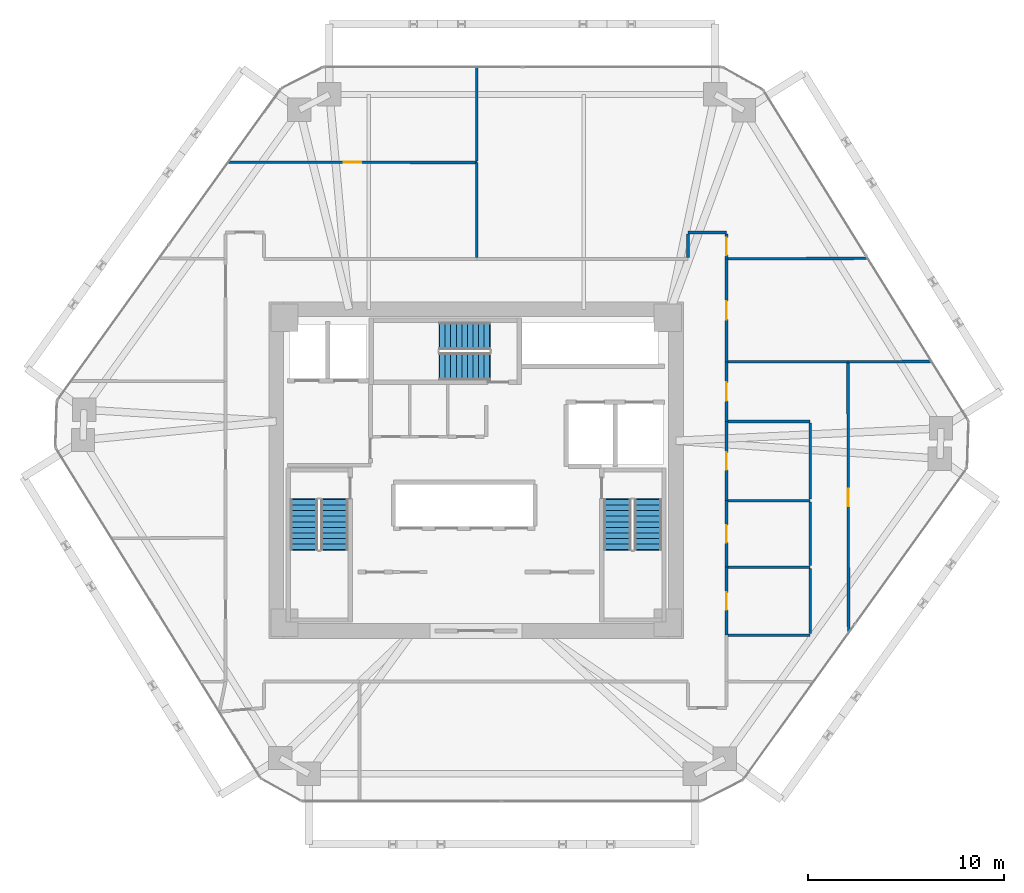
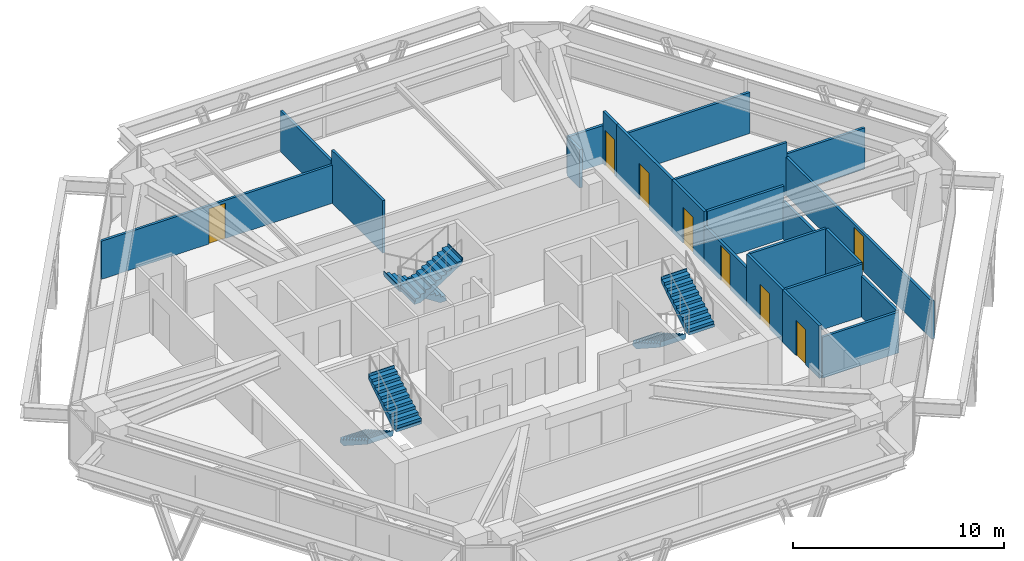
# One storey, part 12 of 13: 22 walls, 8 doors, 6 stair flights, 8 openings, 3 elements without a shape of their own.
"""IFC4 building model written with IfcOpenShell, lengths in metres."""

from ifc_helpers import new_model, si_unit, direction, frame, frame_2d, origin, place, context, subcontext, project, spatial, polyline, rectangle, outline, extrude, source, transform, mapped, material, layer, layer_set, type_object, type_shapes, element, fill, aggregate, save


model = new_model("IFC4")

# Units and contexts
model_context = context("Model", 3, precision=1e-05, world=origin(), true_north=direction((0.0, 1.0)))
body_context = subcontext(model_context, "Body", "Model", "MODEL_VIEW")
ifc_project = project(units=[si_unit("LENGTHUNIT", "METRE"), si_unit("AREAUNIT", "SQUARE_METRE"), si_unit("VOLUMEUNIT", "CUBIC_METRE"), si_unit("PLANEANGLEUNIT", "RADIAN"), si_unit("MASSUNIT", "GRAM", prefix="KILO")], contexts=[model_context])

# Site, building, storey
site_placement = place(None, origin())
site = spatial("IfcSite", under=ifc_project, at=site_placement, CompositionType="ELEMENT")
building_placement = place(site_placement, origin())
building = spatial("IfcBuilding", under=site, at=building_placement, Name="Durnholm Broadcast Tower", CompositionType="ELEMENT")
storey_placement = place(building_placement, frame((0.0, 0.0, 133.800048828125)))
storey = spatial("IfcBuildingStorey", under=building, at=storey_placement, Name="L36", CompositionType="ELEMENT", Elevation=133.800048828125)

# Wall, opening, door
ifc_material_1 = material(Name="Gypsum Metal Stud Partition", Category="concrete")
ifc_layer_1 = layer(ifc_material_1, 0.135009765625)
ifc_layer_set_1 = layer_set([ifc_layer_1], Name="Gypsum Metal Stud Partition")
wall_type_1 = type_object("IfcWallType", Name="WALL-PART-135", PredefinedType="PARTITIONING", material=ifc_layer_set_1)
wall_1_placement = place(storey_placement, frame((-12.67529296875, 15.75634765625, 0.0), z_axis=(0.0, 0.0, 1.0), x_axis=(0.999998301224, -0.001843244056, 0.0)))
wall_1 = element("IfcWall", 1, at=wall_1_placement, inside=storey, type_object=wall_type_1, Name="L36 room dividing partition 10.11", PredefinedType="PARTITIONING", context=body_context, shape_type="SweptSolid", body=[
    extrude(rectangle(XDim=12.71533203125, YDim=0.135009765625, at=frame_2d((6.357666015625, 0.0))), origin(), (0.0, 0.0, 1.0), 2.212158203125),
])
opening_1_placement = place(wall_1_placement, frame((5.90771484375, 0.0, 0.0)))
opening_1 = element("IfcOpeningElement", 2, at=opening_1_placement, cuts=wall_1, Name="Opening DW-90L", PredefinedType="OPENING", context=body_context, shape_type="SweptSolid", body=[
    extrude(rectangle(XDim=0.89990234375, YDim=2.050048828125, at=frame_2d((0.449951171875, 1.02490234375))), frame((0.0, 0.07763671875, 0.0), z_axis=(0.0, -1.0, 0.0), x_axis=(1.0, 0.0, 0.0)), (0.0, 0.0, 1.0), 0.155029296875),
])
ifc_material_2 = material(Name="Laminate Restroom Door", Category="steel")
ifc_layer_2 = layer(ifc_material_2, 0.050048828125)
ifc_layer_set_2 = layer_set([ifc_layer_2], Name="Laminate Restroom Door")
door_type_1 = type_object("IfcDoorType", Name="DOOR-WC-900L", OperationType="NOTDEFINED", PredefinedType="DOOR", material=ifc_layer_set_2)
shared_shape_1 = source(origin(), body_context, "Body", "SweptSolid", [
    extrude(rectangle(XDim=0.89990234375, YDim=2.050048828125, at=frame_2d((0.449951171875, 1.02490234375))), frame((0.0, 0.02490234375, 0.0), z_axis=(0.0, -1.0, 0.0), x_axis=(1.0, 0.0, 0.0)), (0.0, 0.0, 1.0), 0.050048828125),
])
type_shapes(door_type_1, [shared_shape_1])
door_1_placement = place(opening_1_placement, origin())
door_1 = element("IfcDoor", 3, at=door_1_placement, inside=storey, type_object=door_type_1, Name="L36 Open Plan Broadcast Workspace 3 connecting door", OperationType="SINGLE_SWING_LEFT", OverallHeight=2.050048828125, OverallWidth=0.89990234375, PredefinedType="DOOR", context=body_context, shape_type="MappedRepresentation", body=[
    mapped(shared_shape_1, transform((0.0, 0.0, 0.0), x_axis=(1.0, 0.0, 0.0), y_axis=(0.0, 1.0, 0.0), z_axis=(0.0, 0.0, 1.0), scale=1.0)),
])
fill(opening_1, door_1)

# Walls
wall_2_placement = place(storey_placement, frame((0.0400390625, 15.73291015625, 0.0), z_axis=(0.0, 0.0, 1.0), x_axis=(0.0, -1.0, 0.0)))
element("IfcWall", 4, at=wall_2_placement, inside=storey, type_object=wall_type_1, Name="L36 room dividing partition 10.12", PredefinedType="PARTITIONING", context=body_context, shape_type="SweptSolid", body=[
    extrude(rectangle(XDim=4.843994140625, YDim=0.135009765625, at=frame_2d((2.421875, 0.0))), origin(), (0.0, 0.0, 1.0), 3.044921875),
])
wall_3_placement = place(storey_placement, frame((0.0400390625, 20.614990234375, 0.0), z_axis=(0.0, 0.0, 1.0), x_axis=(0.0, -1.0, 0.0)))
element("IfcWall", 5, at=wall_3_placement, inside=storey, type_object=wall_type_1, Name="L36 room dividing partition 11.12", PredefinedType="PARTITIONING", context=body_context, shape_type="SweptSolid", body=[
    extrude(rectangle(XDim=4.810546875, YDim=0.135009765625, at=frame_2d((2.4052734375, 0.0))), origin(), (0.0, 0.0, 1.0), 2.3798828125),
])
wall_4_placement = place(storey_placement, frame((20.03515625, 10.8310546875, 0.0), z_axis=(0.0, 0.0, 1.0), x_axis=(-0.999995783715, -0.002903885812, 0.0)))
element("IfcWall", 6, at=wall_4_placement, inside=storey, type_object=wall_type_1, Name="L36 room dividing partition 12.20", PredefinedType="PARTITIONING", context=body_context, shape_type="SweptSolid", body=[
    extrude(rectangle(XDim=7.146240234375, YDim=0.135009765625, at=frame_2d((3.5732421875, 0.0))), origin(), (0.0, 0.0, 1.0), 2.3798828125),
])

# Wall, opening, door
wall_5_placement = place(storey_placement, frame((19.02197265625, 5.5400390625, 0.0), z_axis=(0.0, 0.0, 1.0), x_axis=(0.002343027886, -0.999997255106, 0.0)))
wall_5 = element("IfcWall", 7, at=wall_5_placement, inside=storey, type_object=wall_type_1, Name="L36 room dividing partition 18.19", PredefinedType="PARTITIONING", context=body_context, shape_type="SweptSolid", body=[
    extrude(rectangle(XDim=13.8583984375, YDim=0.135009765625, at=frame_2d((6.92919921875, 0.0))), origin(), (0.0, 0.0, 1.0), 2.212158203125),
])
opening_2_placement = place(wall_5_placement, frame((6.479248046875, 0.0, 0.0)))
opening_2 = element("IfcOpeningElement", 8, at=opening_2_placement, cuts=wall_5, Name="Opening DW-90L", PredefinedType="OPENING", context=body_context, shape_type="SweptSolid", body=[
    extrude(rectangle(XDim=0.89990234375, YDim=2.050048828125, at=frame_2d((0.449951171875, 1.02490234375))), frame((0.0, 0.07763671875, 0.0), z_axis=(0.0, -1.0, 0.0), x_axis=(1.0, 0.0, 0.0)), (0.0, 0.0, 1.0), 0.155029296875),
])
door_2_placement = place(opening_2_placement, origin())
door_2 = element("IfcDoor", 9, at=door_2_placement, inside=storey, type_object=door_type_1, Name="L36 Open Plan Broadcast Workspace 5 connecting door", OperationType="SINGLE_SWING_LEFT", OverallHeight=2.050048828125, OverallWidth=0.89990234375, PredefinedType="DOOR", context=body_context, shape_type="MappedRepresentation", body=[
    mapped(shared_shape_1, transform((0.0, 0.0, 0.0), x_axis=(1.0, 0.0, 0.0), y_axis=(0.0, 1.0, 0.0), z_axis=(0.0, 0.0, 1.0), scale=1.0)),
])
fill(opening_2, door_2)

# Walls
wall_6_placement = place(storey_placement, frame((12.888916015625, 5.5400390625, 0.0), z_axis=(0.0, 0.0, 1.0), x_axis=(1.0, 0.0, 0.0)))
element("IfcWall", 10, at=wall_6_placement, inside=storey, type_object=wall_type_1, Name="L36 room dividing partition 18.20", PredefinedType="PARTITIONING", context=body_context, shape_type="SweptSolid", body=[
    extrude(rectangle(XDim=6.133056640625, YDim=0.135009765625, at=frame_2d((3.06640625, 0.0))), origin(), (0.0, 0.0, 1.0), 3.044921875),
])
wall_7_placement = place(storey_placement, frame((19.02197265625, 5.540283203125, 0.0), z_axis=(0.0, 0.0, 1.0), x_axis=(0.999988258028, 0.004846009232, 0.0)))
element("IfcWall", 11, at=wall_7_placement, inside=storey, type_object=wall_type_1, Name="L36 room dividing partition 19.20", PredefinedType="PARTITIONING", context=body_context, shape_type="SweptSolid", body=[
    extrude(rectangle(XDim=4.2822265625, YDim=0.135009765625, at=frame_2d((2.14111328125, 0.0))), origin(), (0.0, 0.0, 1.0), 2.3798828125),
])
ifc_material_3 = material(Name="Acoustic Gypsum Stud Partition", Category="concrete")
ifc_layer_3 = layer(ifc_material_3, 0.14990234375)
ifc_layer_set_3 = layer_set([ifc_layer_3], Name="Acoustic Gypsum Stud Partition")
wall_type_2 = type_object("IfcWallType", Name="WALL-PART-150", PredefinedType="PARTITIONING", material=ifc_layer_set_3)
wall_8_placement = place(storey_placement, frame((12.81005859375, 12.159912109375, 0.0), z_axis=(0.0, 0.0, 1.0), x_axis=(-1.0, 0.0, 0.0)))
element("IfcWall", 12, at=wall_8_placement, inside=storey, type_object=wall_type_2, Name="L36 Realtime Graphics Lounge corridor partition", PredefinedType="PARTITIONING", context=body_context, shape_type="SweptSolid", body=[
    extrude(rectangle(XDim=1.969970703125, YDim=0.14990234375, at=frame_2d((0.98486328125, 0.0))), origin(), (0.0, 0.0, 1.0), 2.212158203125),
])

# Wall, opening, door
wall_9_placement = place(storey_placement, frame((12.81005859375, 10.81005859375, 0.0), z_axis=(0.0, 0.0, 1.0), x_axis=(0.0, 1.0, 0.0)))
wall_9 = element("IfcWall", 13, at=wall_9_placement, inside=storey, type_object=wall_type_2, Name="L36 Realtime Graphics Lounge corridor partition", PredefinedType="PARTITIONING", context=body_context, shape_type="SweptSolid", body=[
    extrude(rectangle(XDim=1.27099609375, YDim=0.14990234375, at=frame_2d((0.635498046875, 0.0))), origin(), (0.0, 0.0, 1.0), 3.044921875),
])
opening_3_placement = place(wall_9_placement, frame((0.185546875, 0.0, 0.0)))
opening_3 = element("IfcOpeningElement", 14, at=opening_3_placement, cuts=wall_9, Name="Opening DW-90L", PredefinedType="OPENING", context=body_context, shape_type="SweptSolid", body=[
    extrude(rectangle(XDim=0.89990234375, YDim=2.050048828125, at=frame_2d((0.449951171875, 1.02490234375))), frame((0.0, 0.0849609375, 0.0), z_axis=(0.0, -1.0, 0.0), x_axis=(1.0, 0.0, 0.0)), (0.0, 0.0, 1.0), 0.169921875),
])
door_3_placement = place(opening_3_placement, origin())
door_3 = element("IfcDoor", 15, at=door_3_placement, inside=storey, type_object=door_type_1, Name="L36 Realtime Graphics Lounge entrance door", OperationType="SINGLE_SWING_LEFT", OverallHeight=2.050048828125, OverallWidth=0.89990234375, PredefinedType="DOOR", context=body_context, shape_type="MappedRepresentation", body=[
    mapped(shared_shape_1, transform((0.0, 0.0, 0.0), x_axis=(1.0, 0.0, 0.0), y_axis=(0.0, 1.0, 0.0), z_axis=(0.0, 0.0, 1.0), scale=1.0)),
])
fill(opening_3, door_3)

# Wall
wall_10_placement = place(storey_placement, frame((10.840087890625, 12.0810546875, 0.0), z_axis=(0.0, 0.0, 1.0), x_axis=(0.0, -1.0, 0.0)))
element("IfcWall", 16, at=wall_10_placement, inside=storey, type_object=wall_type_2, Name="L36 Realtime Graphics Lounge corridor partition", PredefinedType="PARTITIONING", context=body_context, shape_type="SweptSolid", body=[
    extrude(rectangle(XDim=1.192138671875, YDim=0.14990234375, at=frame_2d((0.59619140625, 0.0))), origin(), (0.0, 0.0, 1.0), 2.212158203125),
])

# Wall, opening, door
wall_11_placement = place(storey_placement, frame((12.81005859375, 2.489990234375, 0.0), z_axis=(0.0, 0.0, 1.0), x_axis=(0.0, 1.0, 0.0)))
wall_11 = element("IfcWall", 17, at=wall_11_placement, inside=storey, type_object=wall_type_2, Name="L36 Realtime Graphics Lounge corridor partition", PredefinedType="PARTITIONING", context=body_context, shape_type="SweptSolid", body=[
    extrude(rectangle(XDim=3.050048828125, YDim=0.14990234375, at=frame_2d((1.52490234375, 0.0))), origin(), (0.0, 0.0, 1.0), 3.044921875),
])
opening_4_placement = place(wall_11_placement, frame((1.050048828125, 0.0, 0.0)))
opening_4 = element("IfcOpeningElement", 18, at=opening_4_placement, cuts=wall_11, Name="Opening DR-95L", PredefinedType="OPENING", context=body_context, shape_type="SweptSolid", body=[
    extrude(rectangle(XDim=0.949951171875, YDim=2.10009765625, at=frame_2d((0.47509765625, 1.050048828125))), frame((0.0, 0.0849609375, 0.0), z_axis=(0.0, -1.0, 0.0), x_axis=(1.0, 0.0, 0.0)), (0.0, 0.0, 1.0), 0.169921875),
])
ifc_material_4 = material(Name="Acoustic Oak Veneer Timber Door", Category="wood")
ifc_layer_4 = layer(ifc_material_4, 0.050048828125)
ifc_layer_set_4 = layer_set([ifc_layer_4], Name="Acoustic Oak Veneer Timber Door")
door_type_2 = type_object("IfcDoorType", Name="DOOR-RM-950L", OperationType="NOTDEFINED", PredefinedType="DOOR", material=ifc_layer_set_4)
shared_shape_2 = source(origin(), body_context, "Body", "SweptSolid", [
    extrude(rectangle(XDim=0.949951171875, YDim=2.10009765625, at=frame_2d((0.47509765625, 1.050048828125))), frame((0.0, 0.02490234375, 0.0), z_axis=(0.0, -1.0, 0.0), x_axis=(1.0, 0.0, 0.0)), (0.0, 0.0, 1.0), 0.050048828125),
])
type_shapes(door_type_2, [shared_shape_2])
door_4_placement = place(opening_4_placement, origin())
door_4 = element("IfcDoor", 19, at=door_4_placement, inside=storey, type_object=door_type_2, Name="L36 Realtime Graphics Lounge entrance door", OperationType="SINGLE_SWING_LEFT", OverallHeight=2.10009765625, OverallWidth=0.949951171875, PredefinedType="DOOR", context=body_context, shape_type="MappedRepresentation", body=[
    mapped(shared_shape_2, transform((0.0, 0.0, 0.0), x_axis=(1.0, 0.0, 0.0), y_axis=(0.0, 1.0, 0.0), z_axis=(0.0, 0.0, 1.0), scale=1.0)),
])
fill(opening_4, door_4)

wall_12_placement = place(storey_placement, frame((12.81005859375, 5.5400390625, 0.0), z_axis=(0.0, 0.0, 1.0), x_axis=(0.0, 1.0, 0.0)))
wall_12 = element("IfcWall", 20, at=wall_12_placement, inside=storey, type_object=wall_type_2, Name="L36 Studio Kitchen corridor partition", PredefinedType="PARTITIONING", context=body_context, shape_type="SweptSolid", body=[
    extrude(rectangle(XDim=5.27001953125, YDim=0.14990234375, at=frame_2d((2.635009765625, 0.0))), origin(), (0.0, 0.0, 1.0), 3.044921875),
])
opening_5_placement = place(wall_12_placement, frame((2.159912109375, 0.0, 0.0)))
opening_5 = element("IfcOpeningElement", 21, at=opening_5_placement, cuts=wall_12, Name="Opening DR-95R", PredefinedType="OPENING", context=body_context, shape_type="SweptSolid", body=[
    extrude(rectangle(XDim=0.949951171875, YDim=2.10009765625, at=frame_2d((0.47509765625, 1.050048828125))), frame((0.0, 0.0849609375, 0.0), z_axis=(0.0, -1.0, 0.0), x_axis=(1.0, 0.0, 0.0)), (0.0, 0.0, 1.0), 0.169921875),
])
ifc_layer_5 = layer(ifc_material_4, 0.050048828125)
ifc_layer_set_5 = layer_set([ifc_layer_5], Name="Acoustic Oak Veneer Timber Door")
door_type_3 = type_object("IfcDoorType", Name="DOOR-RM-950R", OperationType="NOTDEFINED", PredefinedType="DOOR", material=ifc_layer_set_5)
shared_shape_3 = source(origin(), body_context, "Body", "SweptSolid", [
    extrude(rectangle(XDim=0.949951171875, YDim=2.10009765625, at=frame_2d((0.47509765625, 1.050048828125))), frame((0.0, 0.02490234375, 0.0), z_axis=(0.0, -1.0, 0.0), x_axis=(1.0, 0.0, 0.0)), (0.0, 0.0, 1.0), 0.050048828125),
])
type_shapes(door_type_3, [shared_shape_3])
door_5_placement = place(opening_5_placement, origin())
door_5 = element("IfcDoor", 22, at=door_5_placement, inside=storey, type_object=door_type_3, Name="L36 Studio Kitchen entrance door", OperationType="SINGLE_SWING_RIGHT", OverallHeight=2.10009765625, OverallWidth=0.949951171875, PredefinedType="DOOR", context=body_context, shape_type="MappedRepresentation", body=[
    mapped(shared_shape_3, transform((0.0, 0.0, 0.0), x_axis=(1.0, 0.0, 0.0), y_axis=(0.0, 1.0, 0.0), z_axis=(0.0, 0.0, 1.0), scale=1.0)),
])
fill(opening_5, door_5)

ifc_material_5 = material(Name="Moisture-Resistant Tile Partition", Category="concrete")
ifc_layer_6 = layer(ifc_material_5, 0.139892578125)
ifc_layer_set_6 = layer_set([ifc_layer_6], Name="Moisture-Resistant Tile Partition")
wall_type_3 = type_object("IfcWallType", Name="WALL-WC-140", PredefinedType="PARTITIONING", material=ifc_layer_set_6)
wall_13_placement = place(storey_placement, frame((12.81005859375, -8.43994140625, 0.0), z_axis=(0.0, 0.0, 1.0), x_axis=(0.0, 1.0, 0.0)))
wall_13 = element("IfcWall", 23, at=wall_13_placement, inside=storey, type_object=wall_type_3, Name="L36 Men's Restroom corridor partition", PredefinedType="PARTITIONING", context=body_context, shape_type="SweptSolid", body=[
    extrude(rectangle(XDim=3.47998046875, YDim=0.139892578125, at=frame_2d((1.739990234375, 0.0))), origin(), (0.0, 0.0, 1.0), 3.044921875),
])
opening_6_placement = place(wall_13_placement, frame((1.2900390625, 0.0, 0.0)))
opening_6 = element("IfcOpeningElement", 24, at=opening_6_placement, cuts=wall_13, Name="Opening DW-90L", PredefinedType="OPENING", context=body_context, shape_type="SweptSolid", body=[
    extrude(rectangle(XDim=0.89990234375, YDim=2.050048828125, at=frame_2d((0.449951171875, 1.02490234375))), frame((0.0, 0.080078125, 0.0), z_axis=(0.0, -1.0, 0.0), x_axis=(1.0, 0.0, 0.0)), (0.0, 0.0, 1.0), 0.159912109375),
])
door_6_placement = place(opening_6_placement, origin())
door_6 = element("IfcDoor", 25, at=door_6_placement, inside=storey, type_object=door_type_1, Name="L36 Men's Restroom entrance door", OperationType="SINGLE_SWING_LEFT", OverallHeight=2.050048828125, OverallWidth=0.89990234375, PredefinedType="DOOR", context=body_context, shape_type="MappedRepresentation", body=[
    mapped(shared_shape_1, transform((0.0, 0.0, 0.0), x_axis=(1.0, 0.0, 0.0), y_axis=(0.0, 1.0, 0.0), z_axis=(0.0, 0.0, 1.0), scale=1.0)),
])
fill(opening_6, door_6)

wall_14_placement = place(storey_placement, frame((12.81005859375, -4.9599609375, 0.0), z_axis=(0.0, 0.0, 1.0), x_axis=(0.0, 1.0, 0.0)))
wall_14 = element("IfcWall", 26, at=wall_14_placement, inside=storey, type_object=wall_type_3, Name="L36 Women's Restroom corridor partition", PredefinedType="PARTITIONING", context=body_context, shape_type="SweptSolid", body=[
    extrude(rectangle(XDim=3.39990234375, YDim=0.139892578125, at=frame_2d((1.699951171875, 0.0))), origin(), (0.0, 0.0, 1.0), 3.044921875),
])
opening_7_placement = place(wall_14_placement, frame((1.25, 0.0, 0.0)))
opening_7 = element("IfcOpeningElement", 27, at=opening_7_placement, cuts=wall_14, Name="Opening DW-90R", PredefinedType="OPENING", context=body_context, shape_type="SweptSolid", body=[
    extrude(rectangle(XDim=0.89990234375, YDim=2.050048828125, at=frame_2d((0.449951171875, 1.02490234375))), frame((0.0, 0.080078125, 0.0), z_axis=(0.0, -1.0, 0.0), x_axis=(1.0, 0.0, 0.0)), (0.0, 0.0, 1.0), 0.159912109375),
])
ifc_layer_7 = layer(ifc_material_2, 0.050048828125)
ifc_layer_set_7 = layer_set([ifc_layer_7], Name="Laminate Restroom Door")
door_type_4 = type_object("IfcDoorType", Name="DOOR-WC-900R", OperationType="NOTDEFINED", PredefinedType="DOOR", material=ifc_layer_set_7)
shared_shape_4 = source(origin(), body_context, "Body", "SweptSolid", [
    extrude(rectangle(XDim=0.89990234375, YDim=2.050048828125, at=frame_2d((0.449951171875, 1.02490234375))), frame((0.0, 0.02490234375, 0.0), z_axis=(0.0, -1.0, 0.0), x_axis=(1.0, 0.0, 0.0)), (0.0, 0.0, 1.0), 0.050048828125),
])
type_shapes(door_type_4, [shared_shape_4])
door_7_placement = place(opening_7_placement, origin())
door_7 = element("IfcDoor", 28, at=door_7_placement, inside=storey, type_object=door_type_4, Name="L36 Women's Restroom entrance door", OperationType="SINGLE_SWING_RIGHT", OverallHeight=2.050048828125, OverallWidth=0.89990234375, PredefinedType="DOOR", context=body_context, shape_type="MappedRepresentation", body=[
    mapped(shared_shape_4, transform((0.0, 0.0, 0.0), x_axis=(1.0, 0.0, 0.0), y_axis=(0.0, 1.0, 0.0), z_axis=(0.0, 0.0, 1.0), scale=1.0)),
])
fill(opening_7, door_7)

wall_15_placement = place(storey_placement, frame((12.81005859375, -1.56005859375, 0.0), z_axis=(0.0, 0.0, 1.0), x_axis=(0.0, 1.0, 0.0)))
wall_15 = element("IfcWall", 29, at=wall_15_placement, inside=storey, type_object=wall_type_3, Name="L36 Accessible Restroom corridor partition", PredefinedType="PARTITIONING", context=body_context, shape_type="SweptSolid", body=[
    extrude(rectangle(XDim=4.050048828125, YDim=0.139892578125, at=frame_2d((2.02490234375, 0.0))), origin(), (0.0, 0.0, 1.0), 2.212158203125),
])
opening_8_placement = place(wall_15_placement, frame((1.574951171875, 0.0, 0.0)))
opening_8 = element("IfcOpeningElement", 30, at=opening_8_placement, cuts=wall_15, Name="Opening DW-90L", PredefinedType="OPENING", context=body_context, shape_type="SweptSolid", body=[
    extrude(rectangle(XDim=0.89990234375, YDim=2.050048828125, at=frame_2d((0.449951171875, 1.02490234375))), frame((0.0, 0.080078125, 0.0), z_axis=(0.0, -1.0, 0.0), x_axis=(1.0, 0.0, 0.0)), (0.0, 0.0, 1.0), 0.159912109375),
])
door_8_placement = place(opening_8_placement, origin())
door_8 = element("IfcDoor", 31, at=door_8_placement, inside=storey, type_object=door_type_1, Name="L36 Accessible Restroom entrance door", OperationType="SINGLE_SWING_LEFT", OverallHeight=2.050048828125, OverallWidth=0.89990234375, PredefinedType="DOOR", context=body_context, shape_type="MappedRepresentation", body=[
    mapped(shared_shape_1, transform((0.0, 0.0, 0.0), x_axis=(1.0, 0.0, 0.0), y_axis=(0.0, 1.0, 0.0), z_axis=(0.0, 0.0, 1.0), scale=1.0)),
])
fill(opening_8, door_8)

# Walls
wall_16_placement = place(storey_placement, frame((12.884033203125, -4.9599609375, 0.0), z_axis=(0.0, 0.0, 1.0), x_axis=(1.0, 0.0, 0.0)))
element("IfcWall", 32, at=wall_16_placement, inside=storey, type_object=wall_type_3, Name="L36 room dividing partition 7.8", PredefinedType="PARTITIONING", context=body_context, shape_type="SweptSolid", body=[
    extrude(rectangle(XDim=4.2060546875, YDim=0.139892578125, at=frame_2d((2.10302734375, 0.0))), origin(), (0.0, 0.0, 1.0), 3.044921875),
])
wall_17_placement = place(storey_placement, frame((17.090087890625, -8.43994140625, 0.0), z_axis=(0.0, 0.0, 1.0), x_axis=(-1.0, 0.0, 0.0)))
element("IfcWall", 33, at=wall_17_placement, inside=storey, type_object=wall_type_3, Name="L36 room dividing partition 7.18", PredefinedType="PARTITIONING", context=body_context, shape_type="SweptSolid", body=[
    extrude(rectangle(XDim=4.201171875, YDim=0.139892578125, at=frame_2d((2.1005859375, 0.0))), origin(), (0.0, 0.0, 1.0), 2.3798828125),
])
wall_18_placement = place(storey_placement, frame((17.090087890625, -5.033935546875, 0.0), z_axis=(0.0, 0.0, 1.0), x_axis=(0.0, -1.0, 0.0)))
element("IfcWall", 34, at=wall_18_placement, inside=storey, type_object=wall_type_3, Name="L36 room dividing partition 7.18", PredefinedType="PARTITIONING", context=body_context, shape_type="SweptSolid", body=[
    extrude(rectangle(XDim=3.33203125, YDim=0.139892578125, at=frame_2d((1.666015625, 0.0))), origin(), (0.0, 0.0, 1.0), 2.3798828125),
])
wall_19_placement = place(storey_placement, frame((12.884033203125, -1.56005859375, 0.0), z_axis=(0.0, 0.0, 1.0), x_axis=(1.0, 0.0, 0.0)))
element("IfcWall", 35, at=wall_19_placement, inside=storey, type_object=wall_type_3, Name="L36 room dividing partition 8.9", PredefinedType="PARTITIONING", context=body_context, shape_type="SweptSolid", body=[
    extrude(rectangle(XDim=4.2060546875, YDim=0.139892578125, at=frame_2d((2.10302734375, 0.0))), origin(), (0.0, 0.0, 1.0), 3.044921875),
])
wall_20_placement = place(storey_placement, frame((17.090087890625, -1.634033203125, 0.0), z_axis=(0.0, 0.0, 1.0), x_axis=(0.0, -1.0, 0.0)))
element("IfcWall", 36, at=wall_20_placement, inside=storey, type_object=wall_type_3, Name="L36 room dividing partition 8.18", PredefinedType="PARTITIONING", context=body_context, shape_type="SweptSolid", body=[
    extrude(rectangle(XDim=3.251953125, YDim=0.139892578125, at=frame_2d((1.6259765625, 0.0))), origin(), (0.0, 0.0, 1.0), 3.044921875),
])
wall_21_placement = place(storey_placement, frame((12.888916015625, 2.489990234375, 0.0), z_axis=(0.0, 0.0, 1.0), x_axis=(1.0, 0.0, 0.0)))
element("IfcWall", 37, at=wall_21_placement, inside=storey, type_object=wall_type_3, Name="L36 room dividing partition 9.18", PredefinedType="PARTITIONING", context=body_context, shape_type="SweptSolid", body=[
    extrude(rectangle(XDim=4.201171875, YDim=0.139892578125, at=frame_2d((2.1005859375, 0.0))), origin(), (0.0, 0.0, 1.0), 3.044921875),
])
wall_22_placement = place(storey_placement, frame((17.090087890625, 2.416015625, 0.0), z_axis=(0.0, 0.0, 1.0), x_axis=(0.0, -1.0, 0.0)))
element("IfcWall", 38, at=wall_22_placement, inside=storey, type_object=wall_type_3, Name="L36 room dividing partition 9.18", PredefinedType="PARTITIONING", context=body_context, shape_type="SweptSolid", body=[
    extrude(rectangle(XDim=3.902099609375, YDim=0.139892578125, at=frame_2d((1.951171875, 0.0))), origin(), (0.0, 0.0, 1.0), 2.212158203125),
])

# Stair, stair flights
ifc_material_6 = material(Name="Concrete C50/60", Category="concrete")
stair_type = type_object("IfcStairType", Name="STAIR-DL-20R1650", PredefinedType="HALF_TURN_STAIR", material=ifc_material_6)
stair_1_placement = place(storey_placement, origin())
stair_1 = element("IfcStair", 39, at=stair_1_placement, inside=storey, type_object=stair_type, Name="L36 ST-1", PredefinedType="HALF_TURN_STAIR")
stair_flight_type = type_object("IfcStairFlightType", Name="FLIGHT-DL-20R1650", PredefinedType="STRAIGHT", material=ifc_material_6)
stair_flight_1_placement = place(storey_placement, frame((-8.800048828125, -1.5, 0.0), z_axis=(0.0, 0.0, 1.0), x_axis=(0.0, -1.0, 0.0)))
stair_flight_1 = element("IfcStairFlight", 40, at=stair_flight_1_placement, type_object=stair_flight_type, Name="ST-1 flight 1", NumberOfRisers=10, NumberOfTreads=9, PredefinedType="STRAIGHT", RiserHeight=0.165, TreadLength=0.285, context=body_context, shape_type="SweptSolid", body=[
    extrude(outline(polyline([(-0.0400390625, -0.14990234375), (-0.0400390625, 0.0), (0.0, 0.0), (0.0, 0.1650390625), (0.284912109375, 0.1650390625), (0.284912109375, 0.330078125), (0.570068359375, 0.330078125), (0.570068359375, 0.4951171875), (0.85498046875, 0.4951171875), (0.85498046875, 0.659912109375), (1.139892578125, 0.659912109375), (1.139892578125, 0.824951171875), (1.425048828125, 0.824951171875), (1.425048828125, 0.989990234375), (1.7099609375, 0.989990234375), (1.7099609375, 1.155029296875), (1.9951171875, 1.155029296875), (1.9951171875, 1.320068359375), (2.280029296875, 1.320068359375), (2.280029296875, 1.485107421875), (2.56494140625, 1.485107421875), (2.56494140625, 1.64990234375), (2.60498046875, 1.64990234375), (2.60498046875, 1.5), (2.56494140625, 1.311767578125), (0.299072265625, -0.14990234375), (-0.0400390625, -0.14990234375)])), frame((0.0, 0.699951171875, 0.0), z_axis=(0.0, -1.0, 0.0), x_axis=(1.0, 0.0, 0.0)), (0.0, 0.0, 1.0), 1.39990234375),
])
stair_flight_2_placement = place(storey_placement, frame((-7.239990234375, -4.06494140625, 1.64990234375), z_axis=(0.0, 0.0, 1.0), x_axis=(0.0, 1.0, 0.0)))
stair_flight_2 = element("IfcStairFlight", 41, at=stair_flight_2_placement, type_object=stair_flight_type, Name="ST-1 flight 2", NumberOfRisers=10, NumberOfTreads=9, PredefinedType="STRAIGHT", RiserHeight=0.165, TreadLength=0.285, context=body_context, shape_type="SweptSolid", body=[
    extrude(outline(polyline([(-0.0400390625, -0.14990234375), (-0.0400390625, 0.0), (0.0, 0.0), (0.0, 0.1650390625), (0.284912109375, 0.1650390625), (0.284912109375, 0.330078125), (0.570068359375, 0.330078125), (0.570068359375, 0.4951171875), (0.85498046875, 0.4951171875), (0.85498046875, 0.659912109375), (1.139892578125, 0.659912109375), (1.139892578125, 0.824951171875), (1.425048828125, 0.824951171875), (1.425048828125, 0.989990234375), (1.7099609375, 0.989990234375), (1.7099609375, 1.155029296875), (1.9951171875, 1.155029296875), (1.9951171875, 1.320068359375), (2.280029296875, 1.320068359375), (2.280029296875, 1.485107421875), (2.56494140625, 1.485107421875), (2.56494140625, 1.64990234375), (2.60498046875, 1.64990234375), (2.60498046875, 1.5), (2.56494140625, 1.311767578125), (0.299072265625, -0.14990234375), (-0.0400390625, -0.14990234375)])), frame((0.0, 0.699951171875, 0.0), z_axis=(0.0, -1.0, 0.0), x_axis=(1.0, 0.0, 0.0)), (0.0, 0.0, 1.0), 1.39990234375),
])
aggregate(stair_1, [stair_flight_1, stair_flight_2])

stair_2_placement = place(storey_placement, origin())
stair_2 = element("IfcStair", 42, at=stair_2_placement, inside=storey, type_object=stair_type, Name="L36 ST-2", PredefinedType="HALF_TURN_STAIR")
stair_flight_3_placement = place(storey_placement, frame((7.239990234375, -1.5, 0.0), z_axis=(0.0, 0.0, 1.0), x_axis=(0.0, -1.0, 0.0)))
stair_flight_3 = element("IfcStairFlight", 43, at=stair_flight_3_placement, type_object=stair_flight_type, Name="ST-2 flight 1", NumberOfRisers=10, NumberOfTreads=9, PredefinedType="STRAIGHT", RiserHeight=0.165, TreadLength=0.285, context=body_context, shape_type="SweptSolid", body=[
    extrude(outline(polyline([(-0.0400390625, -0.14990234375), (-0.0400390625, 0.0), (0.0, 0.0), (0.0, 0.1650390625), (0.284912109375, 0.1650390625), (0.284912109375, 0.330078125), (0.570068359375, 0.330078125), (0.570068359375, 0.4951171875), (0.85498046875, 0.4951171875), (0.85498046875, 0.659912109375), (1.139892578125, 0.659912109375), (1.139892578125, 0.824951171875), (1.425048828125, 0.824951171875), (1.425048828125, 0.989990234375), (1.7099609375, 0.989990234375), (1.7099609375, 1.155029296875), (1.9951171875, 1.155029296875), (1.9951171875, 1.320068359375), (2.280029296875, 1.320068359375), (2.280029296875, 1.485107421875), (2.56494140625, 1.485107421875), (2.56494140625, 1.64990234375), (2.60498046875, 1.64990234375), (2.60498046875, 1.5), (2.56494140625, 1.311767578125), (0.299072265625, -0.14990234375), (-0.0400390625, -0.14990234375)])), frame((0.0, 0.699951171875, 0.0), z_axis=(0.0, -1.0, 0.0), x_axis=(1.0, 0.0, 0.0)), (0.0, 0.0, 1.0), 1.39990234375),
])
stair_flight_4_placement = place(storey_placement, frame((8.800048828125, -4.06494140625, 1.64990234375), z_axis=(0.0, 0.0, 1.0), x_axis=(0.0, 1.0, 0.0)))
stair_flight_4 = element("IfcStairFlight", 44, at=stair_flight_4_placement, type_object=stair_flight_type, Name="ST-2 flight 2", NumberOfRisers=10, NumberOfTreads=9, PredefinedType="STRAIGHT", RiserHeight=0.165, TreadLength=0.285, context=body_context, shape_type="SweptSolid", body=[
    extrude(outline(polyline([(-0.0400390625, -0.14990234375), (-0.0400390625, 0.0), (0.0, 0.0), (0.0, 0.1650390625), (0.284912109375, 0.1650390625), (0.284912109375, 0.330078125), (0.570068359375, 0.330078125), (0.570068359375, 0.4951171875), (0.85498046875, 0.4951171875), (0.85498046875, 0.659912109375), (1.139892578125, 0.659912109375), (1.139892578125, 0.824951171875), (1.425048828125, 0.824951171875), (1.425048828125, 0.989990234375), (1.7099609375, 0.989990234375), (1.7099609375, 1.155029296875), (1.9951171875, 1.155029296875), (1.9951171875, 1.320068359375), (2.280029296875, 1.320068359375), (2.280029296875, 1.485107421875), (2.56494140625, 1.485107421875), (2.56494140625, 1.64990234375), (2.60498046875, 1.64990234375), (2.60498046875, 1.5), (2.56494140625, 1.311767578125), (0.299072265625, -0.14990234375), (-0.0400390625, -0.14990234375)])), frame((0.0, 0.699951171875, 0.0), z_axis=(0.0, -1.0, 0.0), x_axis=(1.0, 0.0, 0.0)), (0.0, 0.0, 1.0), 1.39990234375),
])
aggregate(stair_2, [stair_flight_3, stair_flight_4])

stair_3_placement = place(storey_placement, origin())
stair_3 = element("IfcStair", 45, at=stair_3_placement, inside=storey, type_object=stair_type, Name="L36 ST-3", PredefinedType="HALF_TURN_STAIR")
stair_flight_5_placement = place(storey_placement, frame((0.699951171875, 6.860107421875, 0.0), z_axis=(0.0, 0.0, 1.0), x_axis=(-1.0, 0.0, 0.0)))
stair_flight_5 = element("IfcStairFlight", 46, at=stair_flight_5_placement, type_object=stair_flight_type, Name="ST-3 flight 1", NumberOfRisers=10, NumberOfTreads=9, PredefinedType="STRAIGHT", RiserHeight=0.165, TreadLength=0.285, context=body_context, shape_type="SweptSolid", body=[
    extrude(outline(polyline([(-0.0400390625, -0.14990234375), (-0.0400390625, 0.0), (0.0, 0.0), (0.0, 0.1650390625), (0.284912109375, 0.1650390625), (0.284912109375, 0.330078125), (0.570068359375, 0.330078125), (0.570068359375, 0.4951171875), (0.85498046875, 0.4951171875), (0.85498046875, 0.659912109375), (1.139892578125, 0.659912109375), (1.139892578125, 0.824951171875), (1.425048828125, 0.824951171875), (1.425048828125, 0.989990234375), (1.7099609375, 0.989990234375), (1.7099609375, 1.155029296875), (1.9951171875, 1.155029296875), (1.9951171875, 1.320068359375), (2.280029296875, 1.320068359375), (2.280029296875, 1.485107421875), (2.56494140625, 1.485107421875), (2.56494140625, 1.64990234375), (2.60498046875, 1.64990234375), (2.60498046875, 1.5), (2.56494140625, 1.311767578125), (0.299072265625, -0.14990234375), (-0.0400390625, -0.14990234375)])), frame((0.0, 0.699951171875, 0.0), z_axis=(0.0, -1.0, 0.0), x_axis=(1.0, 0.0, 0.0)), (0.0, 0.0, 1.0), 1.39990234375),
])
stair_flight_6_placement = place(storey_placement, frame((-1.864990234375, 5.300048828125, 1.64990234375), z_axis=(0.0, 0.0, 1.0), x_axis=(1.0, 0.0, 0.0)))
stair_flight_6 = element("IfcStairFlight", 47, at=stair_flight_6_placement, type_object=stair_flight_type, Name="ST-3 flight 2", NumberOfRisers=10, NumberOfTreads=9, PredefinedType="STRAIGHT", RiserHeight=0.165, TreadLength=0.285, context=body_context, shape_type="SweptSolid", body=[
    extrude(outline(polyline([(-0.0400390625, -0.14990234375), (-0.0400390625, 0.0), (0.0, 0.0), (0.0, 0.1650390625), (0.284912109375, 0.1650390625), (0.284912109375, 0.330078125), (0.570068359375, 0.330078125), (0.570068359375, 0.4951171875), (0.85498046875, 0.4951171875), (0.85498046875, 0.659912109375), (1.139892578125, 0.659912109375), (1.139892578125, 0.824951171875), (1.425048828125, 0.824951171875), (1.425048828125, 0.989990234375), (1.7099609375, 0.989990234375), (1.7099609375, 1.155029296875), (1.9951171875, 1.155029296875), (1.9951171875, 1.320068359375), (2.280029296875, 1.320068359375), (2.280029296875, 1.485107421875), (2.56494140625, 1.485107421875), (2.56494140625, 1.64990234375), (2.60498046875, 1.64990234375), (2.60498046875, 1.5), (2.56494140625, 1.311767578125), (0.299072265625, -0.14990234375), (-0.0400390625, -0.14990234375)])), frame((0.0, 0.699951171875, 0.0), z_axis=(0.0, -1.0, 0.0), x_axis=(1.0, 0.0, 0.0)), (0.0, 0.0, 1.0), 1.39990234375),
])
aggregate(stair_3, [stair_flight_5, stair_flight_6])

save(model, "model.ifc")
